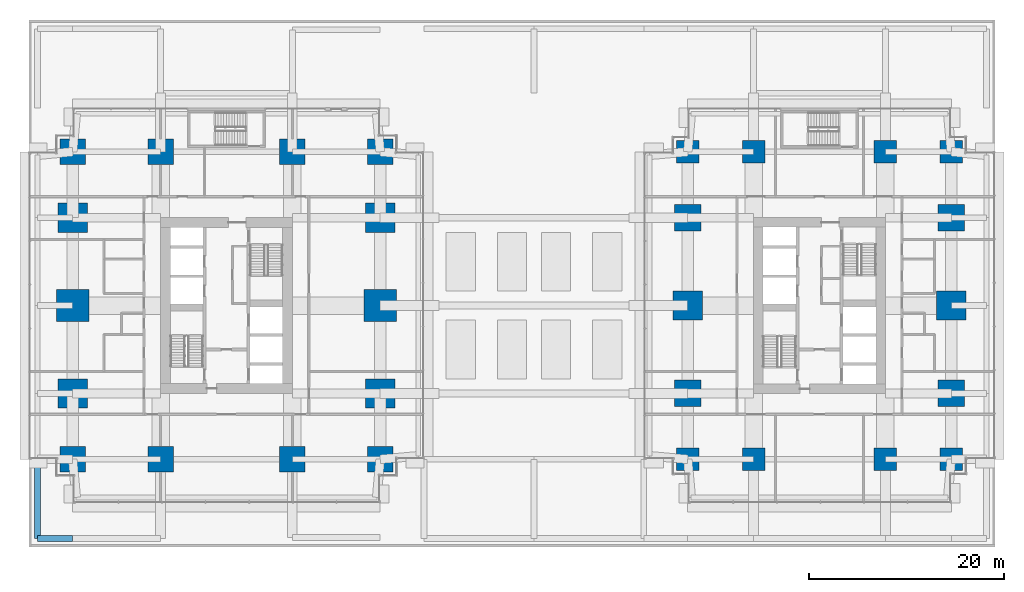
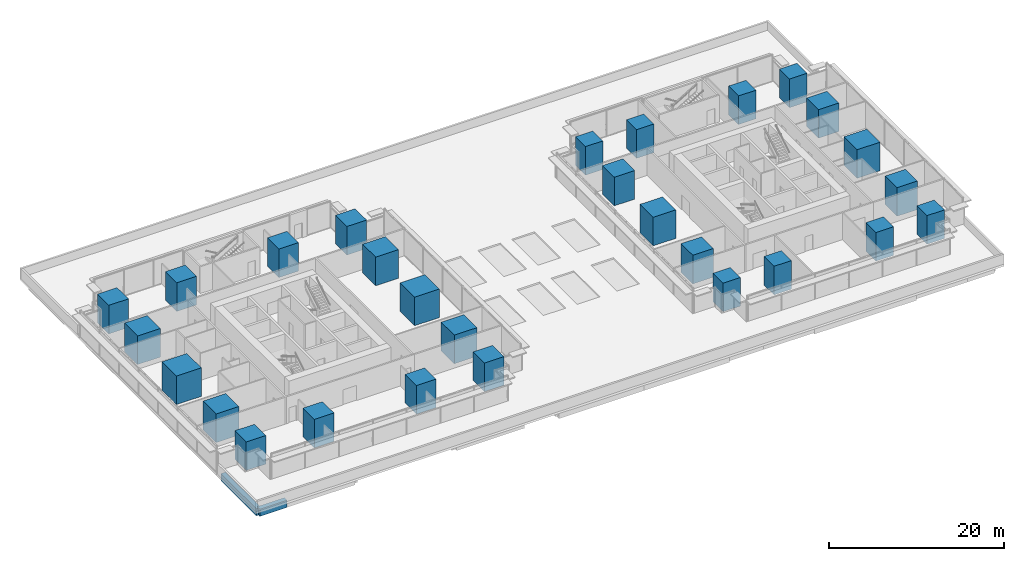
# One storey, part 1 of 34: 28 columns, 2 beams.
"""IFC4 building model written with IfcOpenShell, lengths in metres."""

from ifc_helpers import new_model, si_unit, direction, frame, origin, origin_2d, place, context, subcontext, project, spatial, rectangle, extrude, material, material_profile, profile_set, type_object, element, save


model = new_model("IFC4")

# Units and contexts
model_context = context("Model", 3, precision=1e-05, world=origin(), true_north=direction((0.0, 1.0)))
body_context = subcontext(model_context, "Body", "Model", "MODEL_VIEW")
ifc_project = project(units=[si_unit("LENGTHUNIT", "METRE"), si_unit("AREAUNIT", "SQUARE_METRE"), si_unit("VOLUMEUNIT", "CUBIC_METRE"), si_unit("PLANEANGLEUNIT", "RADIAN"), si_unit("MASSUNIT", "GRAM", prefix="KILO")], contexts=[model_context])

# Site, building, storey
site_placement = place(None, origin())
site = spatial("IfcSite", under=ifc_project, at=site_placement, CompositionType="ELEMENT")
building_placement = place(site_placement, origin())
building = spatial("IfcBuilding", under=site, at=building_placement, Name="Namib Vertical Campus", CompositionType="ELEMENT")
storey_placement = place(building_placement, frame((0.0, 0.0, 21.0)))
storey = spatial("IfcBuildingStorey", under=building, at=storey_placement, Name="L04", CompositionType="ELEMENT", Elevation=21.0)

# Columns
ifc_material_1 = material(Name="Concrete C60/75", Category="concrete")
ifc_material_profile_1 = material_profile(ifc_material_1, rectangle(XDim=2.300048828125, YDim=2.300048828125, at=origin_2d()))
ifc_profile_set_1 = profile_set([ifc_material_profile_1], Name="Concrete C60/75")
column_type_1 = type_object("IfcColumnType", Name="Column RC 2300x2300", PredefinedType="COLUMN", material=ifc_profile_set_1)
for number, where, z_axis, x_axis, name in (
    (1, (67.5, 4.5, 0.0), (0.0, 0.0, 1.0), (1.0, 0.0, 0.0), "Column C230 L04"),
    (2, (74.25, 4.5, 0.0), (0.0, 0.0, 1.0), (1.0, 0.0, 0.0), "Column C230 L04"),
    (3, (87.75, 4.5, 0.0), (0.0, 0.0, 1.0), (1.0, 0.0, 0.0), "Column C230 L04"),
    (4, (94.5, 4.5, 0.0), (0.0, 0.0, 1.0), (1.0, 0.0, 0.0), "Column C230 L04"),
    (5, (67.5, 36.0, 0.0), (0.0, 0.0, 1.0), (1.0, 0.0, 0.0), "Column C230 L04"),
    (6, (74.25, 36.0, 0.0), (0.0, 0.0, 1.0), (1.0, 0.0, 0.0), "Column C230 L04"),
    (7, (87.75, 36.0, 0.0), (0.0, 0.0, 1.0), (1.0, 0.0, 0.0), "Column C230 L04"),
    (8, (94.5, 36.0, 0.0), (0.0, 0.0, 1.0), (1.0, 0.0, 0.0), "Column C230 L04"),
):
    element("IfcColumn", number, at=place(storey_placement, frame(where, z_axis=z_axis, x_axis=x_axis)), inside=storey, type_object=column_type_1, Name=name, PredefinedType="COLUMN", context=body_context, shape_type="SweptSolid", body=[
        extrude(rectangle(XDim=2.300048828125, YDim=2.300048828125, at=origin_2d()), origin(), (0.0, 0.0, 1.0), 4.0),
    ])
ifc_material_2 = material(Name="Concrete C60/75", Category="concrete")
ifc_material_profile_2 = material_profile(ifc_material_2, rectangle(XDim=2.60009765625, YDim=2.60009765625, at=origin_2d()))
ifc_profile_set_2 = profile_set([ifc_material_profile_2], Name="Concrete C60/75")
column_type_2 = type_object("IfcColumnType", Name="Column RC 2600x2600", PredefinedType="COLUMN", material=ifc_profile_set_2)
for number, where, z_axis, x_axis, name in (
    (9, (4.5, 4.5, 0.0), (0.0, 0.0, 1.0), (1.0, 0.0, 0.0), "Column C260 L04"),
    (10, (13.5, 4.5, 0.0), (0.0, 0.0, 1.0), (1.0, 0.0, 0.0), "Column C260 L04"),
    (11, (27.0, 4.5, 0.0), (0.0, 0.0, 1.0), (1.0, 0.0, 0.0), "Column C260 L04"),
    (12, (36.0, 4.5, 0.0), (0.0, 0.0, 1.0), (1.0, 0.0, 0.0), "Column C260 L04"),
    (13, (4.5, 36.0, 0.0), (0.0, 0.0, 1.0), (1.0, 0.0, 0.0), "Column C260 L04"),
    (14, (13.5, 36.0, 0.0), (0.0, 0.0, 1.0), (1.0, 0.0, 0.0), "Column C260 L04"),
    (15, (27.0, 36.0, 0.0), (0.0, 0.0, 1.0), (1.0, 0.0, 0.0), "Column C260 L04"),
    (16, (36.0, 36.0, 0.0), (0.0, 0.0, 1.0), (1.0, 0.0, 0.0), "Column C260 L04"),
):
    element("IfcColumn", number, at=place(storey_placement, frame(where, z_axis=z_axis, x_axis=x_axis)), inside=storey, type_object=column_type_2, Name=name, PredefinedType="COLUMN", context=body_context, shape_type="SweptSolid", body=[
        extrude(rectangle(XDim=2.60009765625, YDim=2.60009765625, at=origin_2d()), origin(), (0.0, 0.0, 1.0), 4.0),
    ])
ifc_material_3 = material(Name="Concrete C60/75", Category="concrete")
ifc_material_profile_3 = material_profile(ifc_material_3, rectangle(XDim=2.699951171875, YDim=2.699951171875, at=origin_2d()))
ifc_profile_set_3 = profile_set([ifc_material_profile_3], Name="Concrete C60/75")
column_type_3 = type_object("IfcColumnType", Name="Column RC 2700x2700", PredefinedType="COLUMN", material=ifc_profile_set_3)
for number, where, z_axis, x_axis, name in (
    (17, (67.5, 11.25, 0.0), (0.0, 0.0, 1.0), (1.0, 0.0, 0.0), "Column C270 L04"),
    (18, (94.5, 11.25, 0.0), (0.0, 0.0, 1.0), (1.0, 0.0, 0.0), "Column C270 L04"),
    (19, (67.5, 29.25, 0.0), (0.0, 0.0, 1.0), (1.0, 0.0, 0.0), "Column C270 L04"),
    (20, (94.5, 29.25, 0.0), (0.0, 0.0, 1.0), (1.0, 0.0, 0.0), "Column C270 L04"),
):
    element("IfcColumn", number, at=place(storey_placement, frame(where, z_axis=z_axis, x_axis=x_axis)), inside=storey, type_object=column_type_3, Name=name, PredefinedType="COLUMN", context=body_context, shape_type="SweptSolid", body=[
        extrude(rectangle(XDim=2.699951171875, YDim=2.699951171875, at=origin_2d()), origin(), (0.0, 0.0, 1.0), 4.0),
    ])
ifc_material_4 = material(Name="Concrete C60/75", Category="concrete")
ifc_material_profile_4 = material_profile(ifc_material_4, rectangle(XDim=3.0, YDim=3.0, at=origin_2d()))
ifc_profile_set_4 = profile_set([ifc_material_profile_4], Name="Concrete C60/75")
column_type_4 = type_object("IfcColumnType", Name="Column RC 3000x3000", PredefinedType="COLUMN", material=ifc_profile_set_4)
for number, where, z_axis, x_axis, name in (
    (21, (4.5, 11.25, 0.0), (0.0, 0.0, 1.0), (1.0, 0.0, 0.0), "Column C300 L04"),
    (22, (36.0, 11.25, 0.0), (0.0, 0.0, 1.0), (1.0, 0.0, 0.0), "Column C300 L04"),
    (23, (4.5, 29.25, 0.0), (0.0, 0.0, 1.0), (1.0, 0.0, 0.0), "Column C300 L04"),
    (24, (36.0, 29.25, 0.0), (0.0, 0.0, 1.0), (1.0, 0.0, 0.0), "Column C300 L04"),
    (25, (67.5, 20.25, 0.0), (0.0, 0.0, 1.0), (1.0, 0.0, 0.0), "Column C300 L04"),
    (26, (94.5, 20.25, 0.0), (0.0, 0.0, 1.0), (1.0, 0.0, 0.0), "Column C300 L04"),
):
    element("IfcColumn", number, at=place(storey_placement, frame(where, z_axis=z_axis, x_axis=x_axis)), inside=storey, type_object=column_type_4, Name=name, PredefinedType="COLUMN", context=body_context, shape_type="SweptSolid", body=[
        extrude(rectangle(XDim=3.0, YDim=3.0, at=origin_2d()), origin(), (0.0, 0.0, 1.0), 4.0),
    ])
ifc_material_5 = material(Name="Concrete C60/75", Category="concrete")
ifc_material_profile_5 = material_profile(ifc_material_5, rectangle(XDim=3.300048828125, YDim=3.300048828125, at=origin_2d()))
ifc_profile_set_5 = profile_set([ifc_material_profile_5], Name="Concrete C60/75")
column_type_5 = type_object("IfcColumnType", Name="Column RC 3300x3300", PredefinedType="COLUMN", material=ifc_profile_set_5)
for number, where, z_axis, x_axis, name in (
    (27, (4.5, 20.25, 0.0), (0.0, 0.0, 1.0), (1.0, 0.0, 0.0), "Column C330 L04"),
    (28, (36.0, 20.25, 0.0), (0.0, 0.0, 1.0), (1.0, 0.0, 0.0), "Column C330 L04"),
):
    element("IfcColumn", number, at=place(storey_placement, frame(where, z_axis=z_axis, x_axis=x_axis)), inside=storey, type_object=column_type_5, Name=name, PredefinedType="COLUMN", context=body_context, shape_type="SweptSolid", body=[
        extrude(rectangle(XDim=3.300048828125, YDim=3.300048828125, at=origin_2d()), origin(), (0.0, 0.0, 1.0), 4.0),
    ])

# Beams
ifc_material_6 = material(Name="Concrete C40/50", Category="concrete")
ifc_material_profile_6 = material_profile(ifc_material_6, rectangle(XDim=0.60009765625, YDim=1.0, at=origin_2d()))
ifc_profile_set_6 = profile_set([ifc_material_profile_6], Name="Concrete C40/50")
beam_type = type_object("IfcBeamType", Name="Podium beam RC 600x1000", PredefinedType="BEAM", material=ifc_profile_set_6)
beam_1_placement = place(storey_placement, frame((0.89990234375, -3.60009765625, -0.800048828125), z_axis=(0.0, 1.0, 0.0), x_axis=(-1.0, 0.0, 0.0)))
element("IfcBeam", 29, at=beam_1_placement, inside=storey, type_object=beam_type, Name="Beam PB1 L04", PredefinedType="BEAM", context=body_context, shape_type="SweptSolid", body=[
    extrude(rectangle(XDim=0.60009765625, YDim=1.0, at=origin_2d()), origin(), (0.0, 0.0, 1.0), 8.10009765625),
])
beam_2_placement = place(storey_placement, frame((0.89990234375, -3.60009765625, -0.800048828125), z_axis=(1.0, 0.0, 0.0), x_axis=(0.0, 1.0, 0.0)))
element("IfcBeam", 30, at=beam_2_placement, inside=storey, type_object=beam_type, Name="Beam PB1 L04", PredefinedType="BEAM", context=body_context, shape_type="SweptSolid", body=[
    extrude(rectangle(XDim=0.60009765625, YDim=1.0, at=origin_2d()), origin(), (0.0, 0.0, 1.0), 3.60009765625),
])

save(model, "model.ifc")
